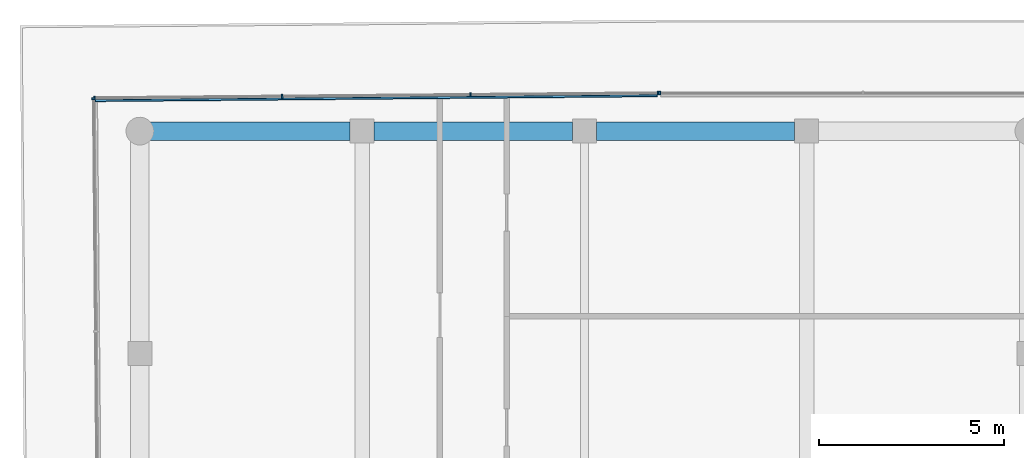
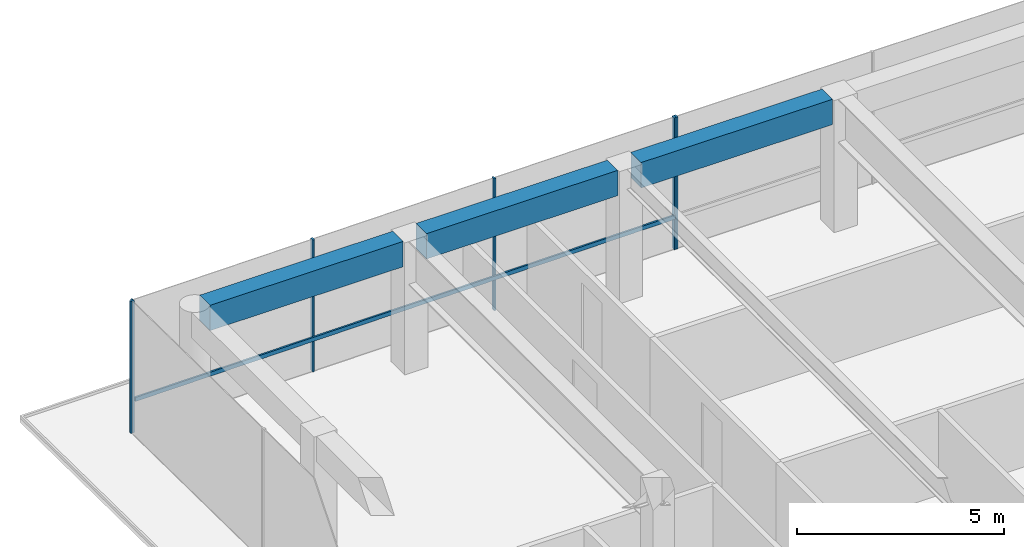
# One storey, part 14 of 21: 7 members, 3 beams, 3 elements without a shape of their own.
"""IFC4 building model written with IfcOpenShell, lengths in metres."""

import ifcopenshell
import ifcopenshell.guid

model = None  # the IFC model being written
_history = None  # IfcOwnerHistory: only IFC2X3 demands one
_inside = {}  # id of a spatial element -> (the spatial element, [elements in it])
_under = {}  # id of a project, library or spatial element -> (it, [spatial elements below it])
_declared = {}  # id of a project -> (the project, [libraries it declares])
_typed = {}  # id of a type object -> (the type object, [elements of that type])
_made_of = {}  # id of a material, layer set ... -> (it, [elements and type objects made of it])


def new_model(schema):
    """Start an empty IFC model of exactly this schema.

    Asked for "IFC4X3", IfcOpenShell would pick the latest addendum, in which some entities
    have other attributes; the version numbers below select the first issue.
    IFC2X3 requires an IfcOwnerHistory on every rooted entity: one is made here for all.
    """
    global model, _history
    if schema == "IFC4X3":
        model = ifcopenshell.file(schema_version=(4, 3, 0, 0))
    else:
        model = ifcopenshell.file(schema=schema)
    _inside.clear()
    _under.clear()
    _declared.clear()
    _typed.clear()
    _made_of.clear()
    _history = None
    if model.schema == "IFC2X3":
        org = make("IfcOrganization", Name="unknown")
        user = make(
            "IfcPersonAndOrganization",
            ThePerson=make("IfcPerson", FamilyName="unknown"),
            TheOrganization=org,
        )
        app = make(
            "IfcApplication",
            ApplicationDeveloper=org,
            Version="unknown",
            ApplicationFullName="unknown",
            ApplicationIdentifier="unknown",
        )
        _history = make(
            "IfcOwnerHistory",
            OwningUser=user,
            OwningApplication=app,
            ChangeAction="ADDED",
            CreationDate=0,
        )
    return model


def make(cls, **values):
    """One entity of the class cls with the attributes given. An attribute that is None is left unset."""
    return model.create_entity(
        cls, **{name: value for name, value in values.items() if value is not None}
    )


def rooted(cls, **values):
    """An entity with a GlobalId (a new one), such as an element, a storey or a relation."""
    return make(cls, GlobalId=ifcopenshell.guid.new(), OwnerHistory=_history, **values)


def si_unit(unit_type, name, prefix=None):
    """IfcSIUnit, for example si_unit("LENGTHUNIT", "METRE", prefix="MILLI")."""
    return make("IfcSIUnit", UnitType=unit_type, Prefix=prefix, Name=name)


def assignment(units):
    """IfcUnitAssignment: the units of a project."""
    return None if units is None else make("IfcUnitAssignment", Units=units)


def point(xyz):
    """IfcCartesianPoint."""
    return None if xyz is None else make("IfcCartesianPoint", Coordinates=xyz)


def direction(xyz):
    """IfcDirection."""
    return None if xyz is None else make("IfcDirection", DirectionRatios=xyz)


def frame(location, z_axis=None, x_axis=None):
    """IfcAxis2Placement3D, a coordinate frame: its origin and axes. An axis left out is left unset."""
    return make(
        "IfcAxis2Placement3D",
        Location=point(location),
        Axis=direction(z_axis),
        RefDirection=direction(x_axis),
    )


def frame_2d(location, x_axis=None):
    """IfcAxis2Placement2D, a coordinate frame in the plane: its origin and x axis."""
    return make(
        "IfcAxis2Placement2D", Location=point(location), RefDirection=direction(x_axis)
    )


def origin():
    """The frame at (0, 0, 0) with its axes left unset."""
    return frame((0.0, 0.0, 0.0))


def origin_2d():
    """The frame at (0, 0) in the plane with its x axis left unset."""
    return frame_2d((0.0, 0.0))


def place(relative_to, where):
    """IfcLocalPlacement: puts the frame where relative to a parent placement (None: the world)."""
    return make(
        "IfcLocalPlacement", PlacementRelTo=relative_to, RelativePlacement=where
    )


def context(
    kind, dimensions, precision=None, world=None, true_north=None, identifier=None
):
    """IfcGeometricRepresentationContext, for example the 3D "Model" context."""
    return make(
        "IfcGeometricRepresentationContext",
        ContextIdentifier=identifier,
        ContextType=kind,
        CoordinateSpaceDimension=dimensions,
        Precision=precision,
        WorldCoordinateSystem=world,
        TrueNorth=true_north,
    )


def subcontext(parent, identifier, kind, view, scale=None):
    """IfcGeometricRepresentationSubContext, for example "Body" below "Model"."""
    return make(
        "IfcGeometricRepresentationSubContext",
        ContextIdentifier=identifier,
        ContextType=kind,
        ParentContext=parent,
        TargetScale=scale,
        TargetView=view,
    )


def project(units=None, contexts=None):
    """IfcProject with its units and contexts."""
    return rooted(
        "IfcProject",
        Name="project",
        RepresentationContexts=contexts,
        UnitsInContext=assignment(units),
    )


def spatial(cls, under=None, at=None, **own):
    """A site, building, storey or space (cls), placed at a placement, below another one or the project."""
    s = rooted(cls, ObjectPlacement=at, **own)
    if under is not None:
        _under.setdefault(under.id(), (under, []))[1].append(s)
    return s


def profile(cls, at=None, kind="AREA", **sizes):
    """A parametric profile (cls). Its sizes go by their IFC names, for example OverallWidth=200.0."""
    return make(cls, ProfileType=kind, Position=at, **sizes)


def rectangle(**sizes):
    """IfcRectangleProfileDef."""
    return profile("IfcRectangleProfileDef", **sizes)


def extrude(swept, where, along, depth):
    """IfcExtrudedAreaSolid: the profile swept, set in the frame where, extruded along a direction by depth."""
    return make(
        "IfcExtrudedAreaSolid",
        SweptArea=swept,
        Position=where,
        ExtrudedDirection=direction(along),
        Depth=depth,
    )


def shape(context_of_items, identifier, shape_type, items):
    """IfcShapeRepresentation: the items that make up one representation, for example the "Body"."""
    return make(
        "IfcShapeRepresentation",
        ContextOfItems=context_of_items,
        RepresentationIdentifier=identifier,
        RepresentationType=shape_type,
        Items=items,
    )


def material(Name=None, Category=None):
    """IfcMaterial."""
    return make("IfcMaterial", Name=Name, Category=Category)


def layer(
    of_material, thickness, ventilated=None, Name=None, Category=None, Priority=None
):
    """IfcMaterialLayer: one layer of a wall or slab, of a material (None: an air gap)."""
    return make(
        "IfcMaterialLayer",
        Material=of_material,
        LayerThickness=thickness,
        IsVentilated=ventilated,
        Name=Name,
        Category=Category,
        Priority=Priority,
    )


def layer_set(layers, Name=None):
    """IfcMaterialLayerSet."""
    return make("IfcMaterialLayerSet", MaterialLayers=layers, LayerSetName=Name)


def material_profile(
    of_material, cross_section, Name=None, Category=None, Priority=None
):
    """IfcMaterialProfile: a cross section and its material."""
    return make(
        "IfcMaterialProfile",
        Name=Name,
        Material=of_material,
        Profile=cross_section,
        Priority=Priority,
        Category=Category,
    )


def profile_set(profiles, Name=None, composite=None):
    """IfcMaterialProfileSet."""
    return make(
        "IfcMaterialProfileSet",
        Name=Name,
        MaterialProfiles=profiles,
        CompositeProfile=composite,
    )


def made_of(thing, what):
    """Note that an element or type object is made of a material, layer set ...; save() writes the relation."""
    if what is not None:
        _made_of.setdefault(what.id(), (what, []))[1].append(thing)
    return thing


def type_object(cls, material=None, **own):
    """A type object (cls), such as IfcWallType, which elements share."""
    return made_of(rooted(cls, **own), material)


def element(
    cls,
    number,
    at=None,
    inside=None,
    cuts=None,
    type_object=None,
    material=None,
    context=None,
    identifier="Body",
    shape_type=None,
    held_by="IfcProductDefinitionShape",
    body=None,
    shapes=None,
    **own,
):
    """One element of the class cls, such as IfcWall. Its Tag is "e" and its number.

    at: its placement. inside: the storey or other place that contains it. cuts: it is an
    opening in that element (IfcRelVoidsElement). A single representation is given by context,
    identifier, shape_type and body (its items); several are given by shapes. held_by: the class
    of the entity that holds the representations. save() writes the other relations.
    """
    e = rooted(cls, Tag="e%d" % number, ObjectPlacement=at, **own)
    if body is not None:
        shapes = [shape(context, identifier, shape_type, body)]
    if shapes is not None:
        e.Representation = make(held_by, Representations=shapes)
    if inside is not None:
        _inside.setdefault(inside.id(), (inside, []))[1].append(e)
    if cuts is not None:
        rooted(
            "IfcRelVoidsElement", RelatingBuildingElement=cuts, RelatedOpeningElement=e
        )
    if type_object is not None:
        _typed.setdefault(type_object.id(), (type_object, []))[1].append(e)
    return made_of(e, material)


def aggregate(whole, parts):
    """IfcRelAggregates: a whole, such as a stair, and the parts it consists of."""
    return rooted("IfcRelAggregates", RelatingObject=whole, RelatedObjects=parts)


def save(model, path):
    """Write the relations noted so far, then the file.

    IfcRelAggregates (storeys below a building ...), IfcRelContainedInSpatialStructure (elements
    in a storey), IfcRelDefinesByType, IfcRelAssociatesMaterial and IfcRelDeclares: one each for
    every whole, place, type object, material and project.
    """
    for whole, parts in _under.values():
        aggregate(whole, parts)
    for where, things in _inside.values():
        rooted(
            "IfcRelContainedInSpatialStructure",
            RelatedElements=things,
            RelatingStructure=where,
        )
    for kind, things in _typed.values():
        rooted("IfcRelDefinesByType", RelatedObjects=things, RelatingType=kind)
    for what, things in _made_of.values():
        rooted("IfcRelAssociatesMaterial", RelatedObjects=things, RelatingMaterial=what)
    for by, libraries in _declared.values():
        rooted("IfcRelDeclares", RelatingContext=by, RelatedDefinitions=libraries)
    model.write(path)


model = new_model("IFC4")

# Units and contexts
model_context = context("Model", 3, precision=1e-05, world=origin(), true_north=direction((0.0, 1.0)))
body_context = subcontext(model_context, "Body", "Model", "MODEL_VIEW")
ifc_project = project(units=[si_unit("LENGTHUNIT", "METRE"), si_unit("AREAUNIT", "SQUARE_METRE"), si_unit("VOLUMEUNIT", "CUBIC_METRE"), si_unit("PLANEANGLEUNIT", "RADIAN"), si_unit("MASSUNIT", "GRAM", prefix="KILO")], contexts=[model_context])

# Site, building, storey
site_placement = place(None, origin())
site = spatial("IfcSite", under=ifc_project, at=site_placement, CompositionType="ELEMENT")
building_placement = place(site_placement, origin())
building = spatial("IfcBuilding", under=site, at=building_placement, Name="Welwitschia Terrace Campus", CompositionType="ELEMENT")
storey_placement = place(building_placement, frame((0.0, 0.0, 331.39990234375)))
storey = spatial("IfcBuildingStorey", under=building, at=storey_placement, Name="L74", CompositionType="ELEMENT", Elevation=331.39990234375)

# Curtain wall, member
ifc_material_1 = material(Name="Bronze anodised aluminium", Category="aluminium")
ifc_layer = layer(ifc_material_1, 0.10009765625)
ifc_layer_set = layer_set([ifc_layer], Name="Bronze anodised aluminium")
curtain_wall_type = type_object("IfcCurtainWallType", Name="Curtain wall CW5 crown 6000", PredefinedType="NOTDEFINED", material=ifc_layer_set)
curtain_wall_1_placement = place(storey_placement, origin())
curtain_wall_1 = element("IfcCurtainWall", 1, at=curtain_wall_1_placement, inside=storey, type_object=curtain_wall_type, Name="CW L74.0.0", PredefinedType="NOTDEFINED")
ifc_material_2 = material(Name="Bronze anodised aluminium", Category="aluminium")
ifc_material_profile_1 = material_profile(ifc_material_2, rectangle(XDim=0.10009765625, YDim=0.050048828125, at=origin_2d()))
ifc_profile_set_1 = profile_set([ifc_material_profile_1], Name="Bronze anodised aluminium")
member_type_1 = type_object("IfcMemberType", Name="Mullion 50x100", PredefinedType="MULLION", material=ifc_profile_set_1)
member_1_placement = place(storey_placement, frame((-1.249755859375, 44.871826171875, 0.0), z_axis=(0.0, 0.0, 1.0), x_axis=(0.999961923064, 0.008726535498, 0.0)))
member_1 = element("IfcMember", 2, at=member_1_placement, type_object=member_type_1, Name="Mullion L74.0.0.0", PredefinedType="MULLION", context=body_context, shape_type="SweptSolid", body=[
    extrude(rectangle(XDim=0.10009765625, YDim=0.050048828125, at=origin_2d()), origin(), (0.0, 0.0, 1.0), 3.900146484375),
])
aggregate(curtain_wall_1, [member_1])

curtain_wall_2_placement = place(storey_placement, origin())
curtain_wall_2 = element("IfcCurtainWall", 3, at=curtain_wall_2_placement, inside=storey, type_object=curtain_wall_type, Name="CW L74.8.0", PredefinedType="NOTDEFINED")
member_2_placement = place(storey_placement, frame((14.037841796875, 45.030029296875, 0.0), z_axis=(0.0, 0.0, 1.0), x_axis=(0.0, -1.0, 0.0)))
member_2 = element("IfcMember", 4, at=member_2_placement, type_object=member_type_1, Name="Mullion L74.8.0.2", PredefinedType="MULLION", context=body_context, shape_type="SweptSolid", body=[
    extrude(rectangle(XDim=0.10009765625, YDim=0.050048828125, at=origin_2d()), origin(), (0.0, 0.0, 1.0), 3.900146484375),
])
aggregate(curtain_wall_2, [member_2])

# Curtain wall, members
curtain_wall_3_placement = place(storey_placement, origin())
curtain_wall_3 = element("IfcCurtainWall", 5, at=curtain_wall_3_placement, inside=storey, type_object=curtain_wall_type, Name="CW L74.9.0", PredefinedType="NOTDEFINED")
member_3_placement = place(storey_placement, frame((13.98779296875, 45.02978515625, 0.0), z_axis=(0.0, 0.0, 1.0), x_axis=(0.008726535498, -0.999961923064, 0.0)))
member_3 = element("IfcMember", 6, at=member_3_placement, type_object=member_type_1, Name="Mullion L74.9.0.0", PredefinedType="MULLION", context=body_context, shape_type="SweptSolid", body=[
    extrude(rectangle(XDim=0.10009765625, YDim=0.050048828125, at=origin_2d()), origin(), (0.0, 0.0, 1.0), 3.900146484375),
])
member_4_placement = place(storey_placement, frame((8.92529296875, 44.985595703125, 0.0), z_axis=(0.0, 0.0, 1.0), x_axis=(0.008726535498, -0.999961923064, 0.0)))
member_4 = element("IfcMember", 7, at=member_4_placement, type_object=member_type_1, Name="Mullion L74.9.0.1", PredefinedType="MULLION", context=body_context, shape_type="SweptSolid", body=[
    extrude(rectangle(XDim=0.10009765625, YDim=0.050048828125, at=origin_2d()), origin(), (0.0, 0.0, 1.0), 3.900146484375),
])
member_5_placement = place(storey_placement, frame((3.837646484375, 44.941162109375, 0.0), z_axis=(0.0, 0.0, 1.0), x_axis=(0.008726535498, -0.999961923064, 0.0)))
member_5 = element("IfcMember", 8, at=member_5_placement, type_object=member_type_1, Name="Mullion L74.9.0.2", PredefinedType="MULLION", context=body_context, shape_type="SweptSolid", body=[
    extrude(rectangle(XDim=0.10009765625, YDim=0.050048828125, at=origin_2d()), origin(), (0.0, 0.0, 1.0), 3.900146484375),
])
member_6_placement = place(storey_placement, frame((-1.22509765625, 44.89697265625, 0.0), z_axis=(0.0, 0.0, 1.0), x_axis=(0.008726535498, -0.999961923064, 0.0)))
member_6 = element("IfcMember", 9, at=member_6_placement, type_object=member_type_1, Name="Mullion L74.9.0.3", PredefinedType="MULLION", context=body_context, shape_type="SweptSolid", body=[
    extrude(rectangle(XDim=0.10009765625, YDim=0.050048828125, at=origin_2d()), origin(), (0.0, 0.0, 1.0), 3.900146484375),
])

# Beams
ifc_material_3 = material(Name="Concrete C40/50", Category="concrete")
ifc_material_profile_2 = material_profile(ifc_material_3, rectangle(XDim=0.5, YDim=0.75, at=origin_2d()))
ifc_profile_set_2 = profile_set([ifc_material_profile_2], Name="Concrete C40/50")
beam_type = type_object("IfcBeamType", Name="Ring spandrel 500x750", PredefinedType="SPANDREL", material=ifc_profile_set_2)
for number, where, z_axis, x_axis, name in (
    (10, (17.674560546875, 44.0, 3.525146484375), (-1.0, 0.0, 0.0), (0.0, -1.0, 0.0), "Spandrel SP5"),
    (11, (11.674560546875, 44.0, 3.525146484375), (-1.0, 0.0, 0.0), (0.0, -1.0, 0.0), "Spandrel SP5"),
):
    element("IfcBeam", number, at=place(storey_placement, frame(where, z_axis=z_axis, x_axis=x_axis)), inside=storey, type_object=beam_type, Name=name, PredefinedType="SPANDREL", context=body_context, shape_type="SweptSolid", body=[
        extrude(rectangle(XDim=0.5, YDim=0.75, at=origin_2d()), origin(), (0.0, 0.0, 1.0), 5.34912109375),
    ])
beam_placement = place(storey_placement, frame((5.674560546875, 44.0, 3.525146484375), z_axis=(-1.0, 0.0, 0.0), x_axis=(0.0, -1.0, 0.0)))
element("IfcBeam", 12, at=beam_placement, inside=storey, type_object=beam_type, Name="Spandrel SP5", PredefinedType="SPANDREL", context=body_context, shape_type="SweptSolid", body=[
    extrude(rectangle(XDim=0.5, YDim=0.75, at=origin_2d()), origin(), (0.0, 0.0, 1.0), 5.39404296875),
])

# Member
ifc_material_4 = material(Name="Bronze anodised aluminium", Category="aluminium")
ifc_material_profile_3 = material_profile(ifc_material_4, rectangle(XDim=0.050048828125, YDim=0.1201171875, at=origin_2d()))
ifc_profile_set_3 = profile_set([ifc_material_profile_3], Name="Bronze anodised aluminium")
member_type_2 = type_object("IfcMemberType", Name="Transom 50x120", PredefinedType="USERDEFINED", material=ifc_profile_set_3)
member_7_placement = place(storey_placement, frame((13.96337890625, 44.95458984375, 1.0), z_axis=(-0.999961923005, -0.008726542294, 0.0), x_axis=(0.008726542294, -0.999961923005, 0.0)))
member_7 = element("IfcMember", 13, at=member_7_placement, type_object=member_type_2, Name="Transom L74.9.0", ObjectType="TRANSOM", PredefinedType="USERDEFINED", context=body_context, shape_type="SweptSolid", body=[
    extrude(rectangle(XDim=0.050048828125, YDim=0.1201171875, at=origin_2d()), origin(), (0.0, 0.0, 1.0), 15.163330078125),
])

aggregate(curtain_wall_3, [member_3, member_4, member_5, member_6, member_7])

save(model, "model.ifc")
